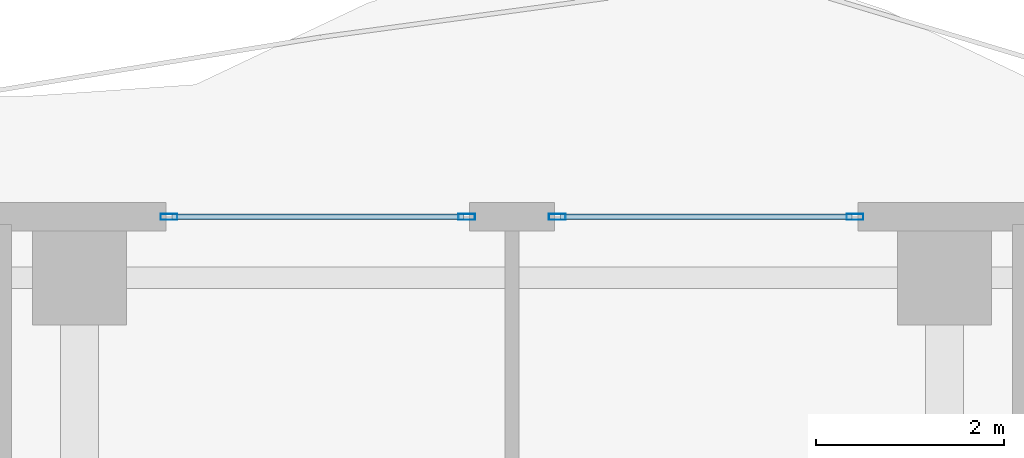
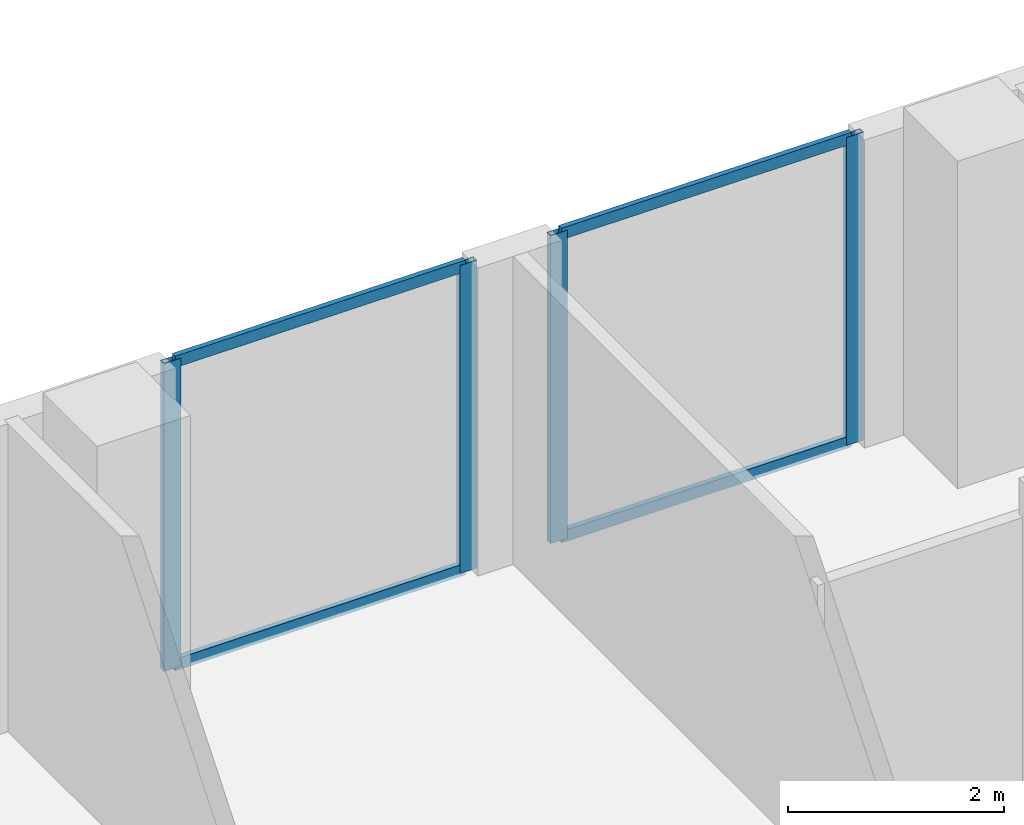
# One storey, part 14 of 24: 8 members, 2 elements without a shape of their own.
"""IFC4 building model written with IfcOpenShell, lengths in metres."""

from ifc_helpers import new_model, si_unit, direction, frame, origin, origin_2d, place, context, subcontext, project, spatial, hollow_rectangle, extrude, material, layer, layer_set, material_profile, profile_set, type_object, element, aggregate, save


model = new_model("IFC4")

# Units and contexts
model_context = context("Model", 3, precision=1e-05, world=origin(), true_north=direction((0.0, 1.0)))
body_context = subcontext(model_context, "Body", "Model", "MODEL_VIEW")
ifc_project = project(units=[si_unit("LENGTHUNIT", "METRE"), si_unit("AREAUNIT", "SQUARE_METRE"), si_unit("VOLUMEUNIT", "CUBIC_METRE"), si_unit("PLANEANGLEUNIT", "RADIAN"), si_unit("MASSUNIT", "GRAM", prefix="KILO")], contexts=[model_context])

# Site, building, storey
site_placement = place(None, origin())
site = spatial("IfcSite", under=ifc_project, at=site_placement, CompositionType="ELEMENT")
building_placement = place(site_placement, origin())
building = spatial("IfcBuilding", under=site, at=building_placement, Name="Zuhayl Quay Hotel", CompositionType="ELEMENT")
storey_placement = place(building_placement, frame((0.0, 0.0, 276.64990234375)))
storey = spatial("IfcBuildingStorey", under=building, at=storey_placement, Name="L70", CompositionType="ELEMENT", Elevation=276.64990234375)

# Curtain wall, members
ifc_material_1 = material(Name="Anodised Aluminium 6063-T6", Category="aluminium")
ifc_layer = layer(ifc_material_1, 0.169921875, Name="Anodised Aluminium 6063-T6", Category="aluminium")
ifc_layer_set = layer_set([ifc_layer], Name="Anodised Aluminium 6063-T6")
curtain_wall_type = type_object("IfcCurtainWallType", Name="CW_SYS_Z4", PredefinedType="USERDEFINED", material=ifc_layer_set)
curtain_wall_1_placement = place(storey_placement, origin())
curtain_wall_1 = element("IfcCurtainWall", 1, at=curtain_wall_1_placement, inside=storey, type_object=curtain_wall_type, Name="L70 Curtain Wall ENV_L70_N_CW1", ObjectType="UNITISED CURTAIN WALL", PredefinedType="USERDEFINED")
ifc_material_2 = material(Name="Black-anodised aluminium 6063-T6", Category="aluminium")
ifc_material_profile_1 = material_profile(ifc_material_2, hollow_rectangle(XDim=0.06494140625, YDim=0.179931640625, WallThickness=0.00341796875, at=origin_2d()), Name="ALU180X65")
ifc_profile_set_1 = profile_set([ifc_material_profile_1], Name="Black-anodised aluminium 6063-T6")
member_type_1 = type_object("IfcMemberType", Name="MB_CW_MUL_180", PredefinedType="MULLION", material=ifc_profile_set_1)
member_1_placement = place(storey_placement, frame((-3.6474609375, 39.0, 0.0), z_axis=(0.0, 0.0, 1.0), x_axis=(0.0, 1.0, 0.0)))
member_1 = element("IfcMember", 2, at=member_1_placement, type_object=member_type_1, Name="CW-Z4 mullion 1", PredefinedType="MULLION", context=body_context, shape_type="SweptSolid", body=[
    extrude(hollow_rectangle(XDim=0.06494140625, YDim=0.179931640625, WallThickness=0.00341796875, at=origin_2d()), origin(), (0.0, 0.0, 1.0), 3.47998046875),
])
member_2_placement = place(storey_placement, frame((-0.482421875, 39.0, 0.0), z_axis=(0.0, 0.0, 1.0), x_axis=(0.0, 1.0, 0.0)))
member_2 = element("IfcMember", 3, at=member_2_placement, type_object=member_type_1, Name="CW-Z4 mullion 2", PredefinedType="MULLION", context=body_context, shape_type="SweptSolid", body=[
    extrude(hollow_rectangle(XDim=0.06494140625, YDim=0.179931640625, WallThickness=0.00341796875, at=origin_2d()), origin(), (0.0, 0.0, 1.0), 3.47998046875),
])

curtain_wall_2_placement = place(storey_placement, origin())
curtain_wall_2 = element("IfcCurtainWall", 4, at=curtain_wall_2_placement, inside=storey, type_object=curtain_wall_type, Name="L70 Curtain Wall ENV_L70_N_CW2", ObjectType="UNITISED CURTAIN WALL", PredefinedType="USERDEFINED")
member_3_placement = place(storey_placement, frame((0.482421875, 39.0, 0.0), z_axis=(0.0, 0.0, 1.0), x_axis=(0.0, 1.0, 0.0)))
member_3 = element("IfcMember", 5, at=member_3_placement, type_object=member_type_1, Name="CW-Z4 mullion 1", PredefinedType="MULLION", context=body_context, shape_type="SweptSolid", body=[
    extrude(hollow_rectangle(XDim=0.06494140625, YDim=0.179931640625, WallThickness=0.00341796875, at=origin_2d()), origin(), (0.0, 0.0, 1.0), 3.47998046875),
])
member_4_placement = place(storey_placement, frame((3.6474609375, 39.0, 0.0), z_axis=(0.0, 0.0, 1.0), x_axis=(0.0, 1.0, 0.0)))
member_4 = element("IfcMember", 6, at=member_4_placement, type_object=member_type_1, Name="CW-Z4 mullion 2", PredefinedType="MULLION", context=body_context, shape_type="SweptSolid", body=[
    extrude(hollow_rectangle(XDim=0.06494140625, YDim=0.179931640625, WallThickness=0.00341796875, at=origin_2d()), origin(), (0.0, 0.0, 1.0), 3.47998046875),
])

# Member
ifc_material_profile_2 = material_profile(ifc_material_2, hollow_rectangle(XDim=0.054931640625, YDim=0.1298828125, WallThickness=0.0029296875, at=origin_2d()), Name="ALU130X55")
ifc_profile_set_2 = profile_set([ifc_material_profile_2], Name="Black-anodised aluminium 6063-T6")
member_type_2 = type_object("IfcMemberType", Name="MB_CW_TRN_130", PredefinedType="USERDEFINED", material=ifc_profile_set_2)
member_5_placement = place(storey_placement, frame((-3.614990234375, 39.0, 0.027587890625), z_axis=(1.0, 0.0, 0.0), x_axis=(0.0, 1.0, 0.0)))
member_5 = element("IfcMember", 7, at=member_5_placement, type_object=member_type_2, Name="CW-Z4 transom 1.1", ObjectType="TRANSOM", PredefinedType="USERDEFINED", context=body_context, shape_type="SweptSolid", body=[
    extrude(hollow_rectangle(XDim=0.054931640625, YDim=0.1298828125, WallThickness=0.0029296875, at=origin_2d()), origin(), (0.0, 0.0, 1.0), 3.10009765625),
])

member_6_placement = place(storey_placement, frame((-3.614990234375, 39.0, 3.45263671875), z_axis=(1.0, 0.0, 0.0), x_axis=(0.0, 1.0, 0.0)))
member_6 = element("IfcMember", 8, at=member_6_placement, type_object=member_type_2, Name="CW-Z4 transom 1.2", ObjectType="TRANSOM", PredefinedType="USERDEFINED", context=body_context, shape_type="SweptSolid", body=[
    extrude(hollow_rectangle(XDim=0.054931640625, YDim=0.1298828125, WallThickness=0.0029296875, at=origin_2d()), origin(), (0.0, 0.0, 1.0), 3.10009765625),
])

aggregate(curtain_wall_1, [member_1, member_2, member_5, member_6])

member_7_placement = place(storey_placement, frame((0.514892578125, 39.0, 0.027587890625), z_axis=(1.0, 0.0, 0.0), x_axis=(0.0, 1.0, 0.0)))
member_7 = element("IfcMember", 9, at=member_7_placement, type_object=member_type_2, Name="CW-Z4 transom 1.1", ObjectType="TRANSOM", PredefinedType="USERDEFINED", context=body_context, shape_type="SweptSolid", body=[
    extrude(hollow_rectangle(XDim=0.054931640625, YDim=0.1298828125, WallThickness=0.0029296875, at=origin_2d()), origin(), (0.0, 0.0, 1.0), 3.10009765625),
])

member_8_placement = place(storey_placement, frame((0.514892578125, 39.0, 3.45263671875), z_axis=(1.0, 0.0, 0.0), x_axis=(0.0, 1.0, 0.0)))
member_8 = element("IfcMember", 10, at=member_8_placement, type_object=member_type_2, Name="CW-Z4 transom 1.2", ObjectType="TRANSOM", PredefinedType="USERDEFINED", context=body_context, shape_type="SweptSolid", body=[
    extrude(hollow_rectangle(XDim=0.054931640625, YDim=0.1298828125, WallThickness=0.0029296875, at=origin_2d()), origin(), (0.0, 0.0, 1.0), 3.10009765625),
])

aggregate(curtain_wall_2, [member_3, member_4, member_7, member_8])

save(model, "model.ifc")
